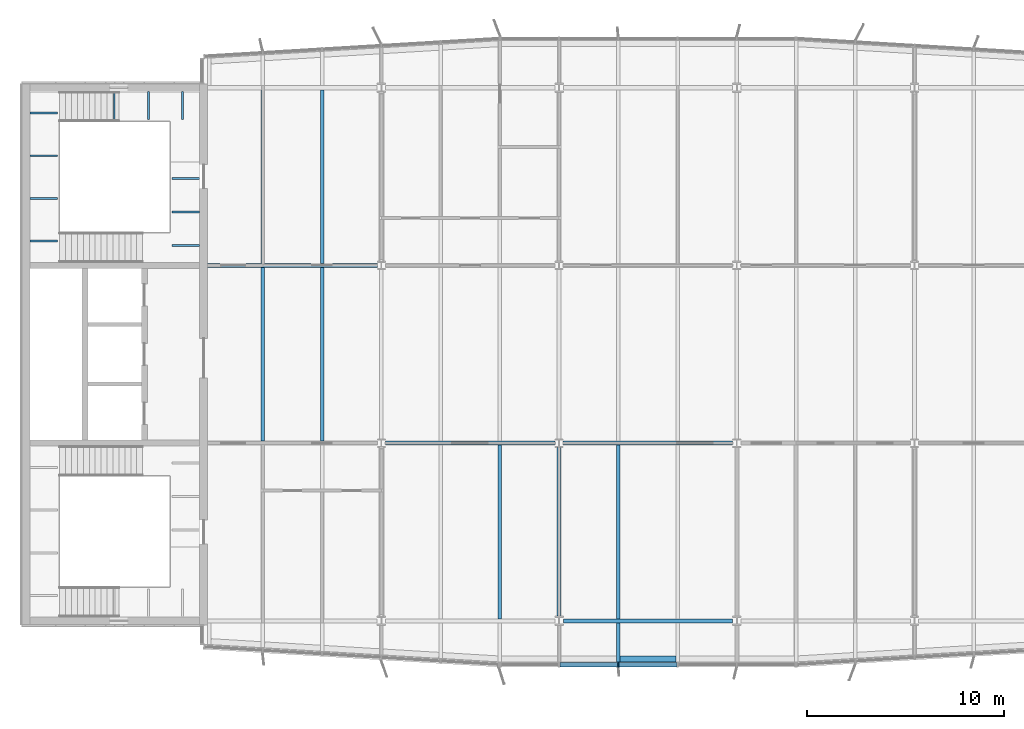
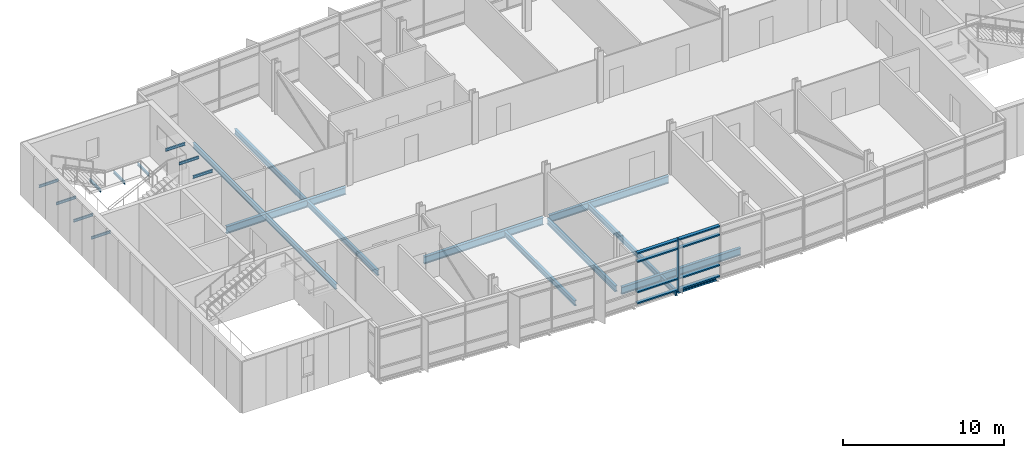
# One storey, part 3 of 17: 23 beams, 9 members, 1 element without a shape of its own.
"""IFC4 building model written with IfcOpenShell, lengths in metres."""

from ifc_helpers import new_model, si_unit, direction, frame, origin, origin_2d, place, context, subcontext, project, spatial, rectangle, i_section, extrude, material, material_profile, profile_set, type_object, element, aggregate, save


model = new_model("IFC4")

# Units and contexts
model_context = context("Model", 3, precision=1e-05, world=origin(), true_north=direction((0.0, 1.0)))
body_context = subcontext(model_context, "Body", "Model", "MODEL_VIEW")
ifc_project = project(units=[si_unit("LENGTHUNIT", "METRE"), si_unit("AREAUNIT", "SQUARE_METRE"), si_unit("VOLUMEUNIT", "CUBIC_METRE"), si_unit("PLANEANGLEUNIT", "RADIAN"), si_unit("MASSUNIT", "GRAM", prefix="KILO")], contexts=[model_context])

# Site, building, storey
site_placement = place(None, origin())
site = spatial("IfcSite", under=ifc_project, at=site_placement, CompositionType="ELEMENT")
building_placement = place(site_placement, origin())
building = spatial("IfcBuilding", under=site, at=building_placement, Name="Azimuth Sports and Learning Centre", CompositionType="ELEMENT")
storey_placement = place(building_placement, frame((0.0, 0.0, 40.199951171875)))
storey = spatial("IfcBuildingStorey", under=building, at=storey_placement, Name="L08", CompositionType="ELEMENT", Elevation=40.199951171875)

# Beams
ifc_material_1 = material(Name="Steel S355", Category="steel")
ifc_material_profile_1 = material_profile(ifc_material_1, i_section(OverallWidth=0.10009765625, OverallDepth=0.199951171875, WebThickness=0.005615234375, FlangeThickness=0.008544921875, FilletRadius=0.011962890625, at=origin_2d()), Name="IPE 200")
ifc_profile_set_1 = profile_set([ifc_material_profile_1], Name="Steel S355")
beam_type_1 = type_object("IfcBeamType", Name="Beam IPE 200", PredefinedType="BEAM", material=ifc_profile_set_1)
for number, where, z_axis, x_axis, name in (
    (1, (58.473388671875, 116.800048828125, -0.300048828125), (0.0, -1.0, 0.0), (1.0, 0.0, 0.0), "Landing bracket W2 L08 257"),
    (2, (60.199951171875, 116.800048828125, -0.300048828125), (0.0, -1.0, 0.0), (1.0, 0.0, 0.0), "Landing bracket W2 L08 258"),
    (3, (61.9267578125, 116.800048828125, -0.300048828125), (0.0, -1.0, 0.0), (1.0, 0.0, 0.0), "Landing bracket W2 L08 259"),
    (4, (54.199951171875, 109.23876953125, 1.35009765625), (1.0, 0.0, 0.0), (0.0, 1.0, 0.0), "Landing bracket W2 L08 260"),
    (5, (54.199951171875, 111.396240234375, 1.35009765625), (1.0, 0.0, 0.0), (0.0, 1.0, 0.0), "Landing bracket W2 L08 261"),
    (6, (54.199951171875, 113.5537109375, 1.35009765625), (1.0, 0.0, 0.0), (0.0, 1.0, 0.0), "Landing bracket W2 L08 262"),
    (7, (54.199951171875, 115.711181640625, 1.35009765625), (1.0, 0.0, 0.0), (0.0, 1.0, 0.0), "Landing bracket W2 L08 263"),
    (8, (62.800048828125, 109.00830078125, 3.60009765625), (-1.0, 0.0, 0.0), (0.0, -1.0, 0.0), "Landing bracket W2 L08 264"),
    (9, (62.800048828125, 110.705078125, 3.60009765625), (-1.0, 0.0, 0.0), (0.0, -1.0, 0.0), "Landing bracket W2 L08 265"),
    (10, (62.800048828125, 112.401611328125, 3.60009765625), (-1.0, 0.0, 0.0), (0.0, -1.0, 0.0), "Landing bracket W2 L08 266"),
):
    element("IfcBeam", number, at=place(storey_placement, frame(where, z_axis=z_axis, x_axis=x_axis)), inside=storey, type_object=beam_type_1, Name=name, PredefinedType="BEAM", context=body_context, shape_type="SweptSolid", body=[
        extrude(i_section(OverallWidth=0.10009765625, OverallDepth=0.199951171875, WebThickness=0.005615234375, FlangeThickness=0.008544921875, FilletRadius=0.011962890625, at=origin_2d()), origin(), (0.0, 0.0, 1.0), 1.41015625),
    ])
ifc_material_2 = material(Name="Steel S355", Category="steel")
ifc_material_profile_2 = material_profile(ifc_material_2, i_section(OverallWidth=0.18994140625, OverallDepth=0.449951171875, WebThickness=0.009521484375, FlangeThickness=0.0146484375, FilletRadius=0.02099609375, at=origin_2d()), Name="IPE 450")
ifc_profile_set_2 = profile_set([ifc_material_profile_2], Name="Steel S355")
beam_type_2 = type_object("IfcBeamType", Name="Beam IPE 450", PredefinedType="BEAM", material=ifc_profile_set_2)
beam_1_placement = place(storey_placement, frame((81.0, 90.237060546875, -0.35498046875), z_axis=(0.0, 1.0, 0.0), x_axis=(-1.0, 0.0, 0.0)))
element("IfcBeam", 11, at=beam_1_placement, inside=storey, type_object=beam_type_2, Name="Tower tie", PredefinedType="BEAM", context=body_context, shape_type="SweptSolid", body=[
    extrude(i_section(OverallWidth=0.18994140625, OverallDepth=0.449951171875, WebThickness=0.009521484375, FlangeThickness=0.0146484375, FilletRadius=0.02099609375, at=origin_2d()), origin(), (0.0, 0.0, 1.0), 8.54541015625),
])
ifc_material_3 = material(Name="Steel S355", Category="steel")
ifc_material_profile_3 = material_profile(ifc_material_3, i_section(OverallWidth=0.2099609375, OverallDepth=0.550048828125, WebThickness=0.010986328125, FlangeThickness=0.01708984375, FilletRadius=0.02392578125, at=origin_2d()), Name="IPE 550")
ifc_profile_set_3 = profile_set([ifc_material_profile_3], Name="Steel S355")
beam_type_3 = type_object("IfcBeamType", Name="Beam IPE 550", PredefinedType="BEAM", material=ifc_profile_set_3)
beam_2_placement = place(storey_placement, frame((81.2119140625, 90.0, -0.405029296875), z_axis=(1.0, 0.0, 0.0), x_axis=(0.0, 1.0, 0.0)))
element("IfcBeam", 12, at=beam_2_placement, inside=storey, type_object=beam_type_3, Name="Tower girder L08", PredefinedType="BEAM", context=body_context, shape_type="SweptSolid", body=[
    extrude(i_section(OverallWidth=0.2099609375, OverallDepth=0.550048828125, WebThickness=0.010986328125, FlangeThickness=0.01708984375, FilletRadius=0.02392578125, at=origin_2d()), origin(), (0.0, 0.0, 1.0), 8.576171875),
])
for number, where, z_axis, x_axis, name in (
    (13, (72.2060546875, 99.0, -0.405029296875), (1.0, 0.0, 0.0), (0.0, 1.0, 0.0), "Tower girder L08"),
    (14, (81.2060546875, 99.0, -0.405029296875), (1.0, 0.0, 0.0), (0.0, 1.0, 0.0), "Tower girder L08"),
):
    element("IfcBeam", number, at=place(storey_placement, frame(where, z_axis=z_axis, x_axis=x_axis)), inside=storey, type_object=beam_type_3, Name=name, PredefinedType="BEAM", context=body_context, shape_type="SweptSolid", body=[
        extrude(i_section(OverallWidth=0.2099609375, OverallDepth=0.550048828125, WebThickness=0.010986328125, FlangeThickness=0.01708984375, FilletRadius=0.02392578125, at=origin_2d()), origin(), (0.0, 0.0, 1.0), 8.587890625),
    ])
beam_3_placement = place(storey_placement, frame((63.199951171875, 108.0, -0.405029296875), z_axis=(1.0, 0.0, 0.0), x_axis=(0.0, 1.0, 0.0)))
element("IfcBeam", 15, at=beam_3_placement, inside=storey, type_object=beam_type_3, Name="Tower girder L08", PredefinedType="BEAM", context=body_context, shape_type="SweptSolid", body=[
    extrude(i_section(OverallWidth=0.2099609375, OverallDepth=0.550048828125, WebThickness=0.010986328125, FlangeThickness=0.01708984375, FilletRadius=0.02392578125, at=origin_2d()), origin(), (0.0, 0.0, 1.0), 8.593994140625),
])
ifc_material_4 = material(Name="Steel S355", Category="steel")
ifc_material_profile_4 = material_profile(ifc_material_4, i_section(OverallWidth=0.179931640625, OverallDepth=0.39990234375, WebThickness=0.008544921875, FlangeThickness=0.013427734375, FilletRadius=0.02099609375, at=origin_2d()), Name="IPE 400")
ifc_profile_set_4 = profile_set([ifc_material_profile_4], Name="Steel S355")
beam_type_4 = type_object("IfcBeamType", Name="Cantilever stub IPE 400", PredefinedType="JOIST", material=ifc_profile_set_4)
beam_4_placement = place(storey_placement, frame((84.0, 89.89501953125, -0.329833984375), z_axis=(0.0, -1.0, 0.0), x_axis=(1.0, 0.0, 0.0)))
element("IfcBeam", 16, at=beam_4_placement, inside=storey, type_object=beam_type_4, Name="Tower cantilever stub", PredefinedType="JOIST", context=body_context, shape_type="SweptSolid", body=[
    extrude(i_section(OverallWidth=0.179931640625, OverallDepth=0.39990234375, WebThickness=0.008544921875, FlangeThickness=0.013427734375, FilletRadius=0.02099609375, at=origin_2d()), origin(), (0.0, 0.0, 1.0), 1.97509765625),
])
ifc_material_5 = material(Name="Steel S355", Category="steel")
ifc_material_profile_5 = material_profile(ifc_material_5, i_section(OverallWidth=0.300048828125, OverallDepth=0.2900390625, WebThickness=0.008544921875, FlangeThickness=0.013916015625, FilletRadius=0.027099609375, at=origin_2d()), Name="HEA 300")
ifc_profile_set_5 = profile_set([ifc_material_profile_5], Name="Steel S355")
beam_type_5 = type_object("IfcBeamType", Name="Edge beam HEA 300", PredefinedType="SPANDREL", material=ifc_profile_set_5)
beam_5_placement = place(storey_placement, frame((84.090087890625, 88.070068359375, -0.27490234375), z_axis=(1.0, 0.0, 0.0), x_axis=(0.0, 1.0, 0.0)))
element("IfcBeam", 17, at=beam_5_placement, inside=storey, type_object=beam_type_5, Name="Tower edge beam", PredefinedType="SPANDREL", context=body_context, shape_type="SweptSolid", body=[
    extrude(i_section(OverallWidth=0.300048828125, OverallDepth=0.2900390625, WebThickness=0.008544921875, FlangeThickness=0.013916015625, FilletRadius=0.027099609375, at=origin_2d()), origin(), (0.0, 0.0, 1.0), 2.81982421875),
])
ifc_material_6 = material(Name="Steel S355", Category="steel")
ifc_material_profile_6 = material_profile(ifc_material_6, i_section(OverallWidth=0.179931640625, OverallDepth=0.39990234375, WebThickness=0.008544921875, FlangeThickness=0.013427734375, FilletRadius=0.02099609375, at=origin_2d()), Name="IPE 400")
ifc_profile_set_6 = profile_set([ifc_material_profile_6], Name="Steel S355")
beam_type_6 = type_object("IfcBeamType", Name="Joist IPE 400", PredefinedType="JOIST", material=ifc_profile_set_6)
for number, where, z_axis, x_axis, name in (
    (18, (66.0, 99.10498046875, -0.329833984375), (0.0, 1.0, 0.0), (-1.0, 0.0, 0.0), "Tower joist"),
    (19, (66.0, 108.10498046875, -0.329833984375), (0.0, 1.0, 0.0), (-1.0, 0.0, 0.0), "Tower joist"),
    (20, (69.0, 99.10498046875, -0.329833984375), (0.0, 1.0, 0.0), (-1.0, 0.0, 0.0), "Tower joist"),
    (21, (69.0, 108.10498046875, -0.329833984375), (0.0, 1.0, 0.0), (-1.0, 0.0, 0.0), "Tower joist"),
    (22, (78.0, 90.10498046875, -0.329833984375), (0.0, 1.0, 0.0), (-1.0, 0.0, 0.0), "Tower joist"),
    (23, (84.0, 90.10498046875, -0.329833984375), (0.0, 1.0, 0.0), (-1.0, 0.0, 0.0), "Tower joist"),
):
    element("IfcBeam", number, at=place(storey_placement, frame(where, z_axis=z_axis, x_axis=x_axis)), inside=storey, type_object=beam_type_6, Name=name, PredefinedType="JOIST", context=body_context, shape_type="SweptSolid", body=[
        extrude(i_section(OverallWidth=0.179931640625, OverallDepth=0.39990234375, WebThickness=0.008544921875, FlangeThickness=0.013427734375, FilletRadius=0.02099609375, at=origin_2d()), origin(), (0.0, 0.0, 1.0), 8.7900390625),
    ])

# Curtain wall, members
ifc_material_7 = material(Name="Aluminium and glass", Category="aluminium")
curtain_wall_type = type_object("IfcCurtainWallType", Name="Curtain wall tower south 240", PredefinedType="NOTDEFINED", material=ifc_material_7)
curtain_wall_placement = place(storey_placement, origin())
curtain_wall = element("IfcCurtainWall", 24, at=curtain_wall_placement, inside=storey, type_object=curtain_wall_type, Name="Curtain wall CW08-003", PredefinedType="NOTDEFINED")
ifc_material_8 = material(Name="Aluminium", Category="aluminium")
ifc_material_profile_7 = material_profile(ifc_material_8, rectangle(XDim=0.239990234375, YDim=0.070068359375, at=origin_2d()), Name="Mullion 70x240")
ifc_profile_set_7 = profile_set([ifc_material_profile_7], Name="Aluminium")
member_type_1 = type_object("IfcMemberType", Name="Mullion 70x240", PredefinedType="MULLION", material=ifc_profile_set_7)
member_1_placement = place(storey_placement, frame((84.0, 87.780029296875, 0.0), z_axis=(0.0, 0.0, 1.0), x_axis=(0.0, 1.0, 0.0)))
member_1 = element("IfcMember", 25, at=member_1_placement, type_object=member_type_1, Name="CW08-003 mullion 3", PredefinedType="MULLION", context=body_context, shape_type="SweptSolid", body=[
    extrude(rectangle(XDim=0.239990234375, YDim=0.070068359375, at=origin_2d()), origin(), (0.0, 0.0, 1.0), 3.900146484375),
])
ifc_material_9 = material(Name="Aluminium", Category="aluminium")
ifc_material_profile_8 = material_profile(ifc_material_9, rectangle(XDim=0.239990234375, YDim=0.10009765625, at=origin_2d()), Name="Transom 100x240")
ifc_profile_set_8 = profile_set([ifc_material_profile_8], Name="Aluminium")
member_type_2 = type_object("IfcMemberType", Name="Transom 100x240", PredefinedType="USERDEFINED", material=ifc_profile_set_8)
member_2_placement = place(storey_placement, frame((81.034912109375, 87.780029296875, 0.050048828125), z_axis=(1.0, 0.0, 0.0), x_axis=(0.0, 1.0, 0.0)))
member_2 = element("IfcMember", 26, at=member_2_placement, type_object=member_type_2, Name="CW08-003 transom 2.1", ObjectType="TRANSOM", PredefinedType="USERDEFINED", context=body_context, shape_type="SweptSolid", body=[
    extrude(rectangle(XDim=0.239990234375, YDim=0.10009765625, at=origin_2d()), origin(), (0.0, 0.0, 1.0), 2.93017578125),
])
member_3_placement = place(storey_placement, frame((81.034912109375, 87.780029296875, 0.900146484375), z_axis=(1.0, 0.0, 0.0), x_axis=(0.0, 1.0, 0.0)))
member_3 = element("IfcMember", 27, at=member_3_placement, type_object=member_type_2, Name="CW08-003 transom 2.2", ObjectType="TRANSOM", PredefinedType="USERDEFINED", context=body_context, shape_type="SweptSolid", body=[
    extrude(rectangle(XDim=0.239990234375, YDim=0.10009765625, at=origin_2d()), origin(), (0.0, 0.0, 1.0), 2.93017578125),
])
member_4_placement = place(storey_placement, frame((81.034912109375, 87.780029296875, 3.199951171875), z_axis=(1.0, 0.0, 0.0), x_axis=(0.0, 1.0, 0.0)))
member_4 = element("IfcMember", 28, at=member_4_placement, type_object=member_type_2, Name="CW08-003 transom 2.3", ObjectType="TRANSOM", PredefinedType="USERDEFINED", context=body_context, shape_type="SweptSolid", body=[
    extrude(rectangle(XDim=0.239990234375, YDim=0.10009765625, at=origin_2d()), origin(), (0.0, 0.0, 1.0), 2.93017578125),
])
member_5_placement = place(storey_placement, frame((81.034912109375, 87.780029296875, 3.85009765625), z_axis=(1.0, 0.0, 0.0), x_axis=(0.0, 1.0, 0.0)))
member_5 = element("IfcMember", 29, at=member_5_placement, type_object=member_type_2, Name="CW08-003 transom 2.4", ObjectType="TRANSOM", PredefinedType="USERDEFINED", context=body_context, shape_type="SweptSolid", body=[
    extrude(rectangle(XDim=0.239990234375, YDim=0.10009765625, at=origin_2d()), origin(), (0.0, 0.0, 1.0), 2.93017578125),
])
member_6_placement = place(storey_placement, frame((84.034912109375, 87.780029296875, 0.050048828125), z_axis=(1.0, 0.0, 0.0), x_axis=(0.0, 1.0, 0.0)))
member_6 = element("IfcMember", 30, at=member_6_placement, type_object=member_type_2, Name="CW08-003 transom 3.1", ObjectType="TRANSOM", PredefinedType="USERDEFINED", context=body_context, shape_type="SweptSolid", body=[
    extrude(rectangle(XDim=0.239990234375, YDim=0.10009765625, at=origin_2d()), origin(), (0.0, 0.0, 1.0), 2.93017578125),
])
member_7_placement = place(storey_placement, frame((84.034912109375, 87.780029296875, 0.900146484375), z_axis=(1.0, 0.0, 0.0), x_axis=(0.0, 1.0, 0.0)))
member_7 = element("IfcMember", 31, at=member_7_placement, type_object=member_type_2, Name="CW08-003 transom 3.2", ObjectType="TRANSOM", PredefinedType="USERDEFINED", context=body_context, shape_type="SweptSolid", body=[
    extrude(rectangle(XDim=0.239990234375, YDim=0.10009765625, at=origin_2d()), origin(), (0.0, 0.0, 1.0), 2.93017578125),
])
member_8_placement = place(storey_placement, frame((84.034912109375, 87.780029296875, 3.199951171875), z_axis=(1.0, 0.0, 0.0), x_axis=(0.0, 1.0, 0.0)))
member_8 = element("IfcMember", 32, at=member_8_placement, type_object=member_type_2, Name="CW08-003 transom 3.3", ObjectType="TRANSOM", PredefinedType="USERDEFINED", context=body_context, shape_type="SweptSolid", body=[
    extrude(rectangle(XDim=0.239990234375, YDim=0.10009765625, at=origin_2d()), origin(), (0.0, 0.0, 1.0), 2.93017578125),
])
member_9_placement = place(storey_placement, frame((84.034912109375, 87.780029296875, 3.85009765625), z_axis=(1.0, 0.0, 0.0), x_axis=(0.0, 1.0, 0.0)))
member_9 = element("IfcMember", 33, at=member_9_placement, type_object=member_type_2, Name="CW08-003 transom 3.4", ObjectType="TRANSOM", PredefinedType="USERDEFINED", context=body_context, shape_type="SweptSolid", body=[
    extrude(rectangle(XDim=0.239990234375, YDim=0.10009765625, at=origin_2d()), origin(), (0.0, 0.0, 1.0), 2.93017578125),
])
aggregate(curtain_wall, [member_1, member_2, member_3, member_4, member_5, member_6, member_7, member_8, member_9])

save(model, "model.ifc")
